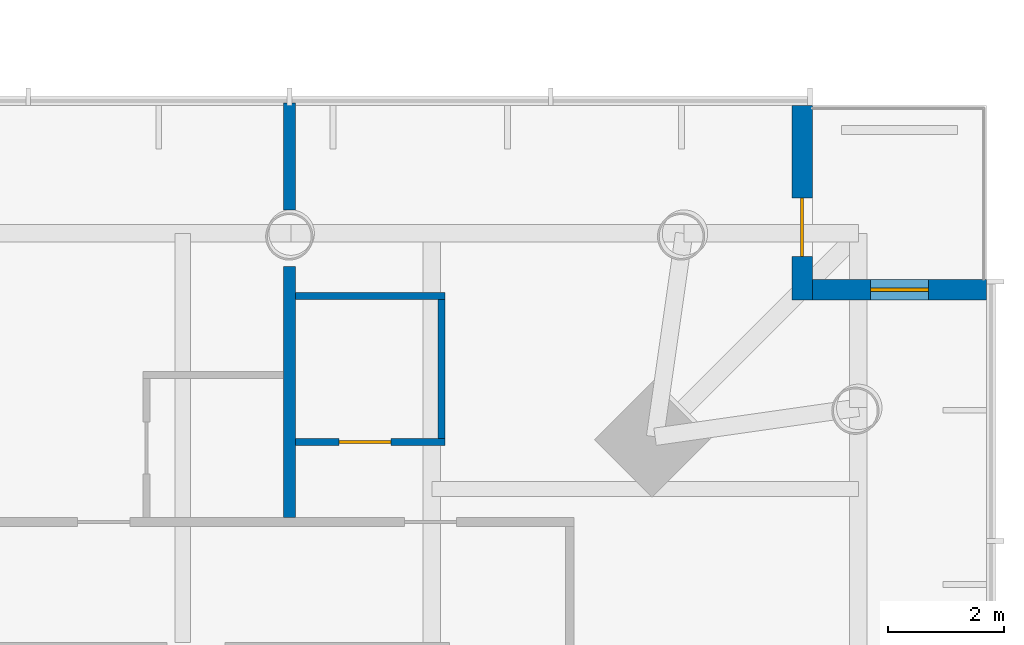
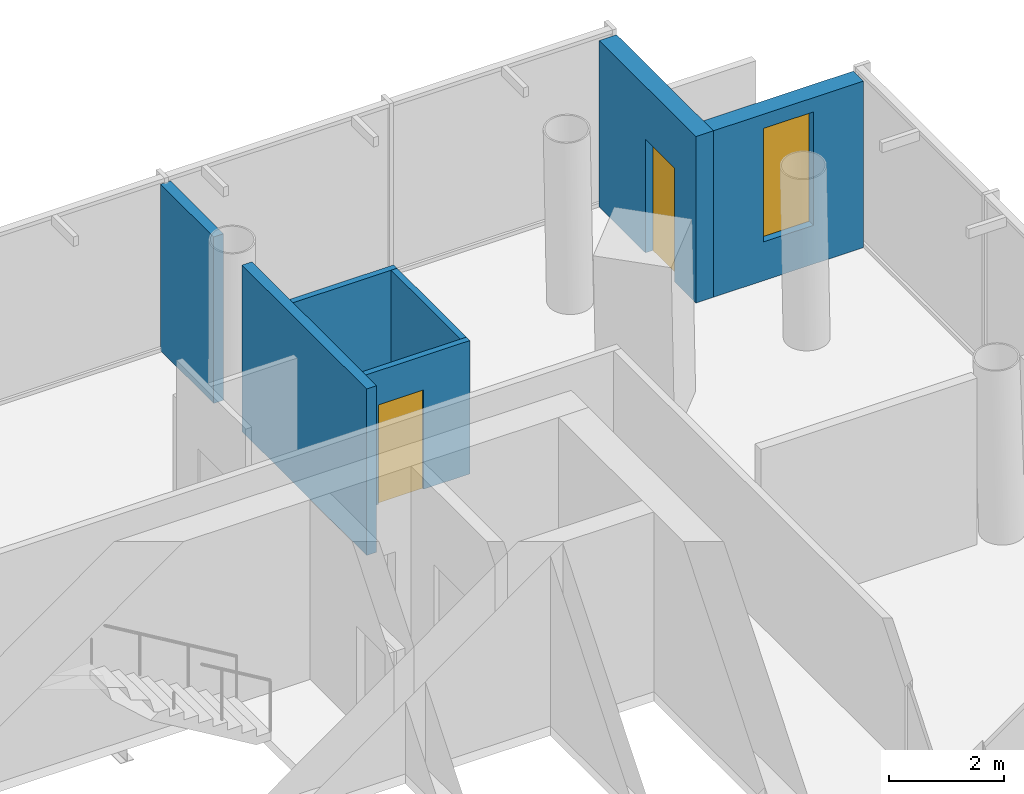
# One storey, part 19 of 24: 7 walls, 2 doors, 1 window, 3 openings.
"""IFC4 building model written with IfcOpenShell, lengths in metres."""

from ifc_helpers import new_model, si_unit, direction, frame, frame_2d, origin, place, context, subcontext, project, spatial, rectangle, extrude, material, layer, layer_set, type_object, element, fill, save


model = new_model("IFC4")

# Units and contexts
model_context = context("Model", 3, precision=1e-05, world=origin(), true_north=direction((0.0, 1.0)))
body_context = subcontext(model_context, "Body", "Model", "MODEL_VIEW")
ifc_project = project(units=[si_unit("LENGTHUNIT", "METRE"), si_unit("AREAUNIT", "SQUARE_METRE"), si_unit("VOLUMEUNIT", "CUBIC_METRE"), si_unit("PLANEANGLEUNIT", "RADIAN"), si_unit("MASSUNIT", "GRAM", prefix="KILO")], contexts=[model_context])

# Site, building, storey
site_placement = place(None, origin())
site = spatial("IfcSite", under=ifc_project, at=site_placement, CompositionType="ELEMENT")
building_placement = place(site_placement, origin())
building = spatial("IfcBuilding", under=site, at=building_placement, Name="Ostroluk Exchange", CompositionType="ELEMENT")
storey_placement = place(building_placement, frame((0.0, 0.0, 78.0)))
storey = spatial("IfcBuildingStorey", under=building, at=storey_placement, Name="L19", CompositionType="ELEMENT", Elevation=78.0)

# Wall, opening, door
ifc_material_1 = material(Name="Limestone", Category="masonry")
ifc_layer_1 = layer(ifc_material_1, 0.35009765625)
ifc_layer_set_1 = layer_set([ifc_layer_1], Name="Limestone facade wall 350")
wall_type_1 = type_object("IfcWallType", Name="Limestone facade wall 350", PredefinedType="SOLIDWALL", material=ifc_layer_set_1)
wall_1_placement = place(storey_placement, frame((132.574951171875, 64.75, 0.0), z_axis=(0.0, 0.0, 1.0), x_axis=(0.0, -1.0, 0.0)))
wall_1 = element("IfcWall", 1, at=wall_1_placement, inside=storey, type_object=wall_type_1, Name="Hotel tower NE corner wall L19 a", PredefinedType="SOLIDWALL", context=body_context, shape_type="SweptSolid", body=[
    extrude(rectangle(XDim=3.35009765625, YDim=0.35009765625, at=frame_2d((1.675048828125, 0.0))), origin(), (0.0, 0.0, 1.0), 3.52001953125),
])
opening_1_placement = place(wall_1_placement, frame((1.60009765625, 0.0, 0.0)))
opening_1 = element("IfcOpeningElement", 2, at=opening_1_placement, cuts=wall_1, Name="Opening D-B1", PredefinedType="OPENING", context=body_context, shape_type="SweptSolid", body=[
    extrude(rectangle(XDim=1.0, YDim=2.39990234375, at=frame_2d((0.5, 1.199951171875))), frame((0.0, 0.18505859375, 0.0), z_axis=(0.0, -1.0, 0.0), x_axis=(1.0, 0.0, 0.0)), (0.0, 0.0, 1.0), 0.3701171875),
])
ifc_material_2 = material(Name="Bronze framed glazed door", Category="aluminium")
door_type_1 = type_object("IfcDoorType", Name="Balcony door 1000 x 2400", OperationType="SINGLE_SWING_LEFT", PredefinedType="DOOR", material=ifc_material_2)
door_1_placement = place(opening_1_placement, origin())
door_1 = element("IfcDoor", 3, at=door_1_placement, inside=storey, type_object=door_type_1, Name="Hotel tower NE balcony door L19", OperationType="SINGLE_SWING_RIGHT", OverallHeight=2.39990234375, OverallWidth=1.0, PredefinedType="DOOR", context=body_context, shape_type="SweptSolid", body=[
    extrude(rectangle(XDim=1.0, YDim=2.39990234375, at=frame_2d((0.5, 1.199951171875))), frame((0.0, 0.02490234375, 0.0), z_axis=(0.0, -1.0, 0.0), x_axis=(1.0, 0.0, 0.0)), (0.0, 0.0, 1.0), 0.050048828125),
])
fill(opening_1, door_1)

# Wall, opening, window
wall_2_placement = place(storey_placement, frame((132.75, 61.574951171875, 0.0), z_axis=(0.0, 0.0, 1.0), x_axis=(1.0, 0.0, 0.0)))
wall_2 = element("IfcWall", 4, at=wall_2_placement, inside=storey, type_object=wall_type_1, Name="Hotel tower NE corner wall L19 b", PredefinedType="SOLIDWALL", context=body_context, shape_type="SweptSolid", body=[
    extrude(rectangle(XDim=3.0, YDim=0.35009765625, at=frame_2d((1.5, 0.0))), origin(), (0.0, 0.0, 1.0), 3.52001953125),
])
opening_2_placement = place(wall_2_placement, frame((1.0, 0.0, 0.820068359375)))
opening_2 = element("IfcOpeningElement", 5, at=opening_2_placement, cuts=wall_2, Name="Opening WN-L3", PredefinedType="OPENING", context=body_context, shape_type="SweptSolid", body=[
    extrude(rectangle(XDim=1.0, YDim=2.39990234375, at=frame_2d((0.5, 1.199951171875))), frame((0.0, 0.18505859375, 0.0), z_axis=(0.0, -1.0, 0.0), x_axis=(1.0, 0.0, 0.0)), (0.0, 0.0, 1.0), 0.3701171875),
])
ifc_material_3 = material(Name="Laminated clear glass", Category="glass")
window_type = type_object("IfcWindowType", Name="Hotel lancet window 1000 x 2400", PartitioningType="SINGLE_PANEL", PredefinedType="WINDOW", material=ifc_material_3)
window_placement = place(opening_2_placement, origin())
window = element("IfcWindow", 6, at=window_placement, inside=storey, type_object=window_type, Name="Hotel tower NE lancet window L19", OverallHeight=2.39990234375, OverallWidth=1.0, PartitioningType="SINGLE_PANEL", PredefinedType="WINDOW", context=body_context, shape_type="SweptSolid", body=[
    extrude(rectangle(XDim=1.0, YDim=2.39990234375, at=frame_2d((0.5, 1.199951171875))), frame((0.0, 0.030029296875, 0.0), z_axis=(0.0, -1.0, 0.0), x_axis=(1.0, 0.0, 0.0)), (0.0, 0.0, 1.0), 0.06005859375),
])
fill(opening_2, window)

# Wall, opening, door
ifc_material_4 = material(Name="Gypsum plasterboard partition, moisture resistant", Category="gypsum")
ifc_layer_2 = layer(ifc_material_4, 0.1201171875)
ifc_layer_set_2 = layer_set([ifc_layer_2], Name="Plasterboard en-suite wall 120")
wall_type_2 = type_object("IfcWallType", Name="Plasterboard en-suite wall 120", PredefinedType="PARTITIONING", material=ifc_layer_set_2)
wall_3_placement = place(storey_placement, frame((123.85009765625, 58.949951171875, 0.0), z_axis=(0.0, 0.0, 1.0), x_axis=(1.0, 0.0, 0.0)))
wall_3 = element("IfcWall", 7, at=wall_3_placement, inside=storey, type_object=wall_type_2, Name="En-suite wall", PredefinedType="PARTITIONING", context=body_context, shape_type="SweptSolid", body=[
    extrude(rectangle(XDim=2.579833984375, YDim=0.1201171875, at=frame_2d((1.2900390625, 0.0))), origin(), (0.0, 0.0, 1.0), 2.820068359375),
])
opening_3_placement = place(wall_3_placement, frame((0.75, 0.0, 0.0)))
opening_3 = element("IfcOpeningElement", 8, at=opening_3_placement, cuts=wall_3, Name="Opening D-02", PredefinedType="OPENING", context=body_context, shape_type="SweptSolid", body=[
    extrude(rectangle(XDim=0.89990234375, YDim=2.10009765625, at=frame_2d((0.449951171875, 1.050048828125))), frame((0.0, 0.070068359375, 0.0), z_axis=(0.0, -1.0, 0.0), x_axis=(1.0, 0.0, 0.0)), (0.0, 0.0, 1.0), 0.14013671875),
])
ifc_material_5 = material(Name="Timber", Category="wood")
door_type_2 = type_object("IfcDoorType", Name="En-suite door 900 x 2100", OperationType="SINGLE_SWING_LEFT", PredefinedType="DOOR", material=ifc_material_5)
door_2_placement = place(opening_3_placement, origin())
door_2 = element("IfcDoor", 9, at=door_2_placement, inside=storey, type_object=door_type_2, Name="En-suite door 1903", OperationType="SINGLE_SWING_LEFT", OverallHeight=2.10009765625, OverallWidth=0.89990234375, PredefinedType="DOOR", context=body_context, shape_type="SweptSolid", body=[
    extrude(rectangle(XDim=0.89990234375, YDim=2.10009765625, at=frame_2d((0.449951171875, 1.050048828125))), frame((0.0, 0.02490234375, 0.0), z_axis=(0.0, -1.0, 0.0), x_axis=(1.0, 0.0, 0.0)), (0.0, 0.0, 1.0), 0.050048828125),
])
fill(opening_3, door_2)

# Walls
wall_4_placement = place(storey_placement, frame((123.85009765625, 61.469970703125, 0.0), z_axis=(0.0, 0.0, 1.0), x_axis=(1.0, 0.0, 0.0)))
element("IfcWall", 10, at=wall_4_placement, inside=storey, type_object=wall_type_2, Name="En-suite wall", PredefinedType="PARTITIONING", context=body_context, shape_type="SweptSolid", body=[
    extrude(rectangle(XDim=2.579833984375, YDim=0.1201171875, at=frame_2d((1.2900390625, 0.0))), origin(), (0.0, 0.0, 1.0), 2.820068359375),
])
wall_5_placement = place(storey_placement, frame((126.3701171875, 59.010009765625, 0.0), z_axis=(0.0, 0.0, 1.0), x_axis=(0.0, 1.0, 0.0)))
element("IfcWall", 11, at=wall_5_placement, inside=storey, type_object=wall_type_2, Name="En-suite wall", PredefinedType="PARTITIONING", context=body_context, shape_type="SweptSolid", body=[
    extrude(rectangle(XDim=2.39990234375, YDim=0.1201171875, at=frame_2d((1.199951171875, 0.0))), origin(), (0.0, 0.0, 1.0), 2.820068359375),
])
ifc_material_6 = material(Name="Gypsum plasterboard partition", Category="gypsum")
ifc_layer_3 = layer(ifc_material_6, 0.199951171875)
ifc_layer_set_3 = layer_set([ifc_layer_3], Name="Plasterboard party wall 200")
wall_type_3 = type_object("IfcWallType", Name="Plasterboard party wall 200", PredefinedType="PARTITIONING", material=ifc_layer_set_3)
wall_6_placement = place(storey_placement, frame((123.75, 57.64990234375, 0.0), z_axis=(0.0, 0.0, 1.0), x_axis=(0.0, 1.0, 0.0)))
element("IfcWall", 12, at=wall_6_placement, inside=storey, type_object=wall_type_3, Name="Party wall", PredefinedType="PARTITIONING", context=body_context, shape_type="SweptSolid", body=[
    extrude(rectangle(XDim=4.322998046875, YDim=0.199951171875, at=frame_2d((2.16162109375, 0.0))), origin(), (0.0, 0.0, 1.0), 3.52001953125),
])
wall_7_placement = place(storey_placement, frame((123.75, 62.94970703125, 0.0), z_axis=(0.0, 0.0, 1.0), x_axis=(0.0, 1.0, 0.0)))
element("IfcWall", 13, at=wall_7_placement, inside=storey, type_object=wall_type_3, Name="Party wall", PredefinedType="PARTITIONING", context=body_context, shape_type="SweptSolid", body=[
    extrude(rectangle(XDim=1.84033203125, YDim=0.199951171875, at=frame_2d((0.920166015625, 0.0))), origin(), (0.0, 0.0, 1.0), 3.52001953125),
])

save(model, "model.ifc")
